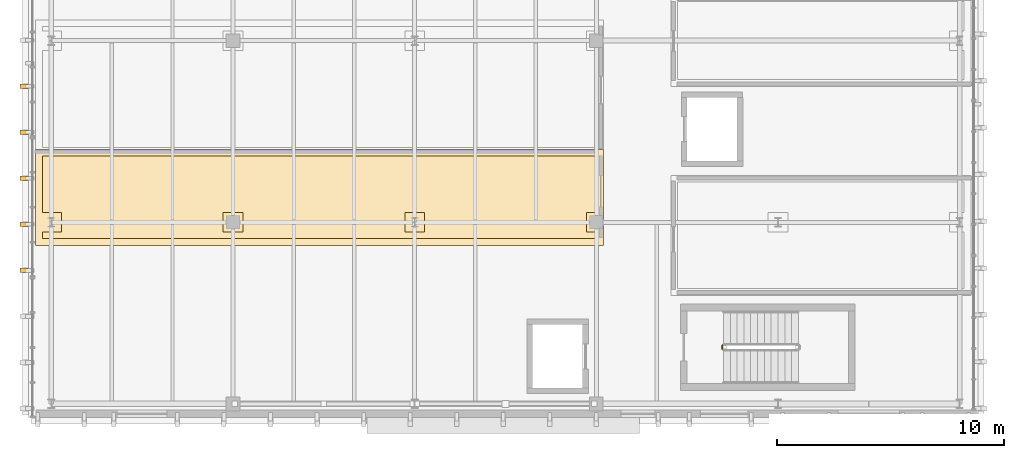
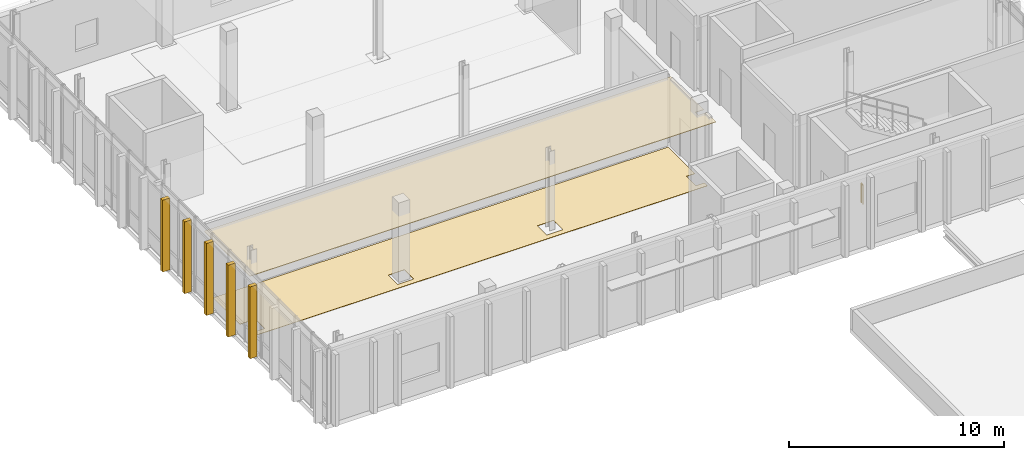
# One storey, part 73 of 86: 7 coverings, 1 railing.
"""IFC4 building model written with IfcOpenShell, lengths in metres."""

from ifc_helpers import new_model, si_unit, direction, frame, origin, origin_2d, place, context, subcontext, project, spatial, polyline, rectangle, circle, outline, extrude, material, layer, layer_set, type_object, element, save


model = new_model("IFC4")

# Units and contexts
model_context = context("Model", 3, precision=1e-05, world=origin(), true_north=direction((0.0, 1.0)))
body_context = subcontext(model_context, "Body", "Model", "MODEL_VIEW")
ifc_project = project(units=[si_unit("LENGTHUNIT", "METRE"), si_unit("AREAUNIT", "SQUARE_METRE"), si_unit("VOLUMEUNIT", "CUBIC_METRE"), si_unit("PLANEANGLEUNIT", "RADIAN"), si_unit("MASSUNIT", "GRAM", prefix="KILO")], contexts=[model_context])

# Site, building, storey
site_placement = place(None, origin())
site = spatial("IfcSite", under=ifc_project, at=site_placement, CompositionType="ELEMENT")
building_placement = place(site_placement, origin())
building = spatial("IfcBuilding", under=site, at=building_placement, Name="Cymarion Research Institute", CompositionType="ELEMENT")
storey_placement = place(building_placement, frame((0.0, 0.0, 13.800048828125)))
storey = spatial("IfcBuildingStorey", under=building, at=storey_placement, Name="L03", CompositionType="ELEMENT", Elevation=13.800048828125)

# Covering
ifc_material_1 = material(Name="Micro-perforated mineral acoustic ceiling tile", Category="gypsum")
ifc_layer_1 = layer(ifc_material_1, 0.030029296875)
ifc_layer_set_1 = layer_set([ifc_layer_1], Name="Micro-perforated mineral acoustic ceiling tile")
covering_type_1 = type_object("IfcCoveringType", Name="ACOUSTIC MICRO-PERFORATED SUSPENDED CEILING CLG-01", PredefinedType="CEILING", material=ifc_layer_set_1)
covering_1_placement = place(storey_placement, frame((0.0, 0.0, 3.699951171875)))
element("IfcCovering", 1, at=covering_1_placement, inside=storey, type_object=covering_type_1, Name="L03 L03 Cleanroom Gowning & Pressure Cascade Airlock acoustic ceiling", PredefinedType="CEILING", context=body_context, shape_type="SweptSolid", body=[
    extrude(outline(polyline([(30.465087890625, 55.635009765625), (30.465087890625, 55.364990234375), (30.9150390625, 55.364990234375), (30.9150390625, 54.485107421875), (5.905029296875, 54.485107421875), (5.905029296875, 58.715087890625), (30.9150390625, 58.715087890625), (30.9150390625, 55.635009765625), (30.465087890625, 55.635009765625)])), origin(), (0.0, 0.0, 1.0), 0.030029296875),
])

# Railing
ifc_material_2 = material(Name="Steel S355", Category="steel")
railing_type = type_object("IfcRailingType", Name="PAINTED STEEL STAIR GUARDRAIL GR1 1100MM", PredefinedType="GUARDRAIL", material=ifc_material_2)
railing_placement = place(storey_placement, frame((36.14990234375, 49.919921875, 0.0)))
element("IfcRailing", 2, at=railing_placement, inside=storey, type_object=railing_type, Name="L03 ST7 stair guard 4", PredefinedType="GUARDRAIL", context=body_context, shape_type="SweptSolid", body=[
    extrude(circle(Radius=0.02392578125, at=origin_2d()), frame((0.0, 0.0, 1.076171875), z_axis=(0.0, 1.0, 0.0), x_axis=(-1.0, 0.0, 0.0)), (0.0, 0.0, 1.0), 0.16015625),
    extrude(circle(Radius=0.02099609375, at=origin_2d()), origin(), (0.0, 0.0, 1.0), 1.052001953125),
    extrude(circle(Radius=0.02099609375, at=origin_2d()), frame((0.0, 0.16015625, 0.0)), (0.0, 0.0, 1.0), 1.052001953125),
])

# Coverings
ifc_material_3 = material(Name="Precast concrete C45/55 architectural white", Category="concrete")
ifc_layer_2 = layer(ifc_material_3, 0.199951171875)
ifc_layer_set_2 = layer_set([ifc_layer_2], Name="Precast concrete C45/55 architectural white")
covering_type_2 = type_object("IfcCoveringType", Name="SCULPTURAL WHITE PRECAST CONCRETE VERTICAL RIB RIB1 380X200", PredefinedType="CLADDING", material=ifc_layer_set_2)
for number, where, z_axis, x_axis, name in (
    (3, (5.407958984375, 61.48681640625, 0.009765625), (0.0, 0.0, 1.0), (-1.0, 0.0, 0.0), "L03 V4 sculptural precast vertical rib RIB1 #734"),
    (4, (5.407958984375, 59.4599609375, 0.009765625), (0.0, 0.0, 1.0), (-1.0, 0.0, 0.0), "L03 V4 sculptural precast vertical rib RIB1 #735"),
    (5, (5.407958984375, 57.433349609375, 0.009765625), (0.0, 0.0, 1.0), (-1.0, 0.0, 0.0), "L03 V4 sculptural precast vertical rib RIB1 #736"),
    (6, (5.407958984375, 55.40673828125, 0.009765625), (0.0, 0.0, 1.0), (-1.0, 0.0, 0.0), "L03 V4 sculptural precast vertical rib RIB1 #737"),
    (7, (5.407958984375, 53.3798828125, 0.009765625), (0.0, 0.0, 1.0), (-1.0, 0.0, 0.0), "L03 V4 sculptural precast vertical rib RIB1 #738"),
):
    element("IfcCovering", number, at=place(storey_placement, frame(where, z_axis=z_axis, x_axis=x_axis)), inside=storey, type_object=covering_type_2, Name=name, PredefinedType="CLADDING", context=body_context, shape_type="SweptSolid", body=[
        extrude(rectangle(XDim=0.3798828125, YDim=0.199951171875, at=origin_2d()), origin(), (0.0, 0.0, 1.0), 4.074951171875),
    ])
ifc_material_4 = material(Name="Seamless dissipative epoxy resin flooring", Category="resin")
ifc_layer_3 = layer(ifc_material_4, 0.02001953125)
ifc_layer_set_3 = layer_set([ifc_layer_3], Name="Seamless dissipative epoxy resin flooring")
covering_type_3 = type_object("IfcCoveringType", Name="SEAMLESS ESD EPOXY LABORATORY FLOORING FLR-01", PredefinedType="FLOORING", material=ifc_layer_set_3)
covering_2_placement = place(storey_placement, origin())
element("IfcCovering", 8, at=covering_2_placement, inside=storey, type_object=covering_type_3, Name="L03 L03 Cleanroom Gowning & Pressure Cascade Airlock ESD epoxy flooring", PredefinedType="FLOORING", context=body_context, shape_type="SweptSolid", body=[
    extrude(outline(polyline([(6.205078125, 55.06494140625), (7.034912109375, 55.06494140625), (7.034912109375, 55.93505859375), (6.205078125, 55.93505859375), (6.205078125, 58.4150390625), (30.614990234375, 58.4150390625), (30.614990234375, 55.93505859375), (30.1650390625, 55.93505859375), (30.1650390625, 55.06494140625), (30.614990234375, 55.06494140625), (30.614990234375, 54.784912109375), (6.205078125, 54.784912109375), (6.205078125, 55.06494140625)]), holes=[polyline([(23.034912109375, 55.93505859375), (22.1650390625, 55.93505859375), (22.1650390625, 55.06494140625), (23.034912109375, 55.06494140625), (23.034912109375, 55.93505859375)]), polyline([(14.1650390625, 55.93505859375), (14.1650390625, 55.06494140625), (15.034912109375, 55.06494140625), (15.034912109375, 55.93505859375), (14.1650390625, 55.93505859375)])]), origin(), (0.0, 0.0, 1.0), 0.02001953125),
])

save(model, "model.ifc")
